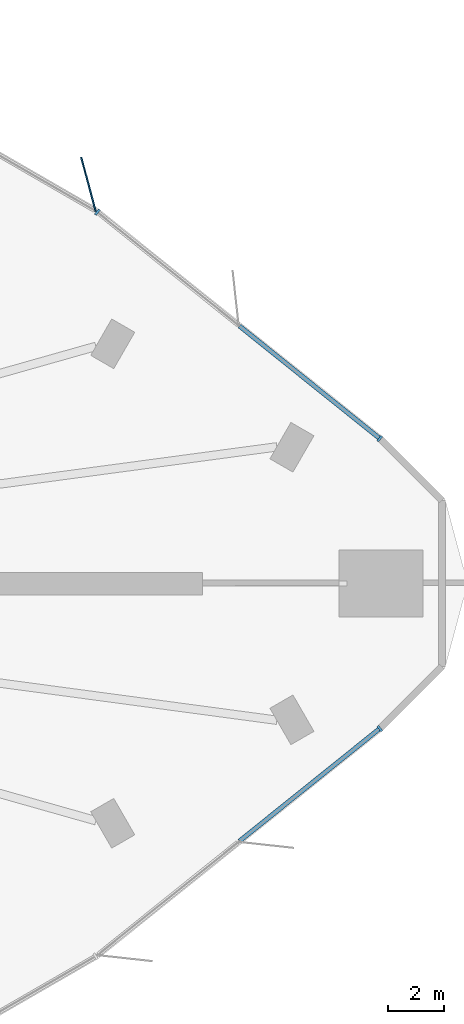
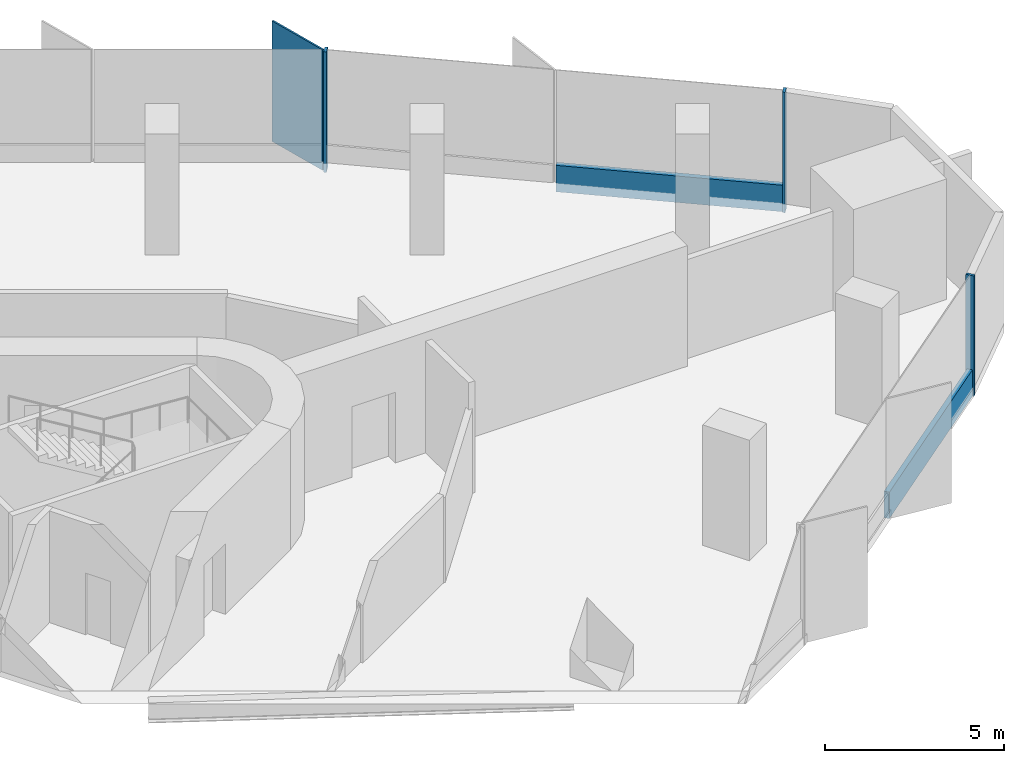
# One storey, part 6 of 15: 6 members, 3 elements without a shape of their own.
"""IFC4 building model written with IfcOpenShell, lengths in metres."""

import ifcopenshell
import ifcopenshell.guid

model = None  # the IFC model being written
_history = None  # IfcOwnerHistory: only IFC2X3 demands one
_inside = {}  # id of a spatial element -> (the spatial element, [elements in it])
_under = {}  # id of a project, library or spatial element -> (it, [spatial elements below it])
_declared = {}  # id of a project -> (the project, [libraries it declares])
_typed = {}  # id of a type object -> (the type object, [elements of that type])
_made_of = {}  # id of a material, layer set ... -> (it, [elements and type objects made of it])


def new_model(schema):
    """Start an empty IFC model of exactly this schema.

    Asked for "IFC4X3", IfcOpenShell would pick the latest addendum, in which some entities
    have other attributes; the version numbers below select the first issue.
    IFC2X3 requires an IfcOwnerHistory on every rooted entity: one is made here for all.
    """
    global model, _history
    if schema == "IFC4X3":
        model = ifcopenshell.file(schema_version=(4, 3, 0, 0))
    else:
        model = ifcopenshell.file(schema=schema)
    _inside.clear()
    _under.clear()
    _declared.clear()
    _typed.clear()
    _made_of.clear()
    _history = None
    if model.schema == "IFC2X3":
        org = make("IfcOrganization", Name="unknown")
        user = make(
            "IfcPersonAndOrganization",
            ThePerson=make("IfcPerson", FamilyName="unknown"),
            TheOrganization=org,
        )
        app = make(
            "IfcApplication",
            ApplicationDeveloper=org,
            Version="unknown",
            ApplicationFullName="unknown",
            ApplicationIdentifier="unknown",
        )
        _history = make(
            "IfcOwnerHistory",
            OwningUser=user,
            OwningApplication=app,
            ChangeAction="ADDED",
            CreationDate=0,
        )
    return model


def make(cls, **values):
    """One entity of the class cls with the attributes given. An attribute that is None is left unset."""
    return model.create_entity(
        cls, **{name: value for name, value in values.items() if value is not None}
    )


def rooted(cls, **values):
    """An entity with a GlobalId (a new one), such as an element, a storey or a relation."""
    return make(cls, GlobalId=ifcopenshell.guid.new(), OwnerHistory=_history, **values)


def si_unit(unit_type, name, prefix=None):
    """IfcSIUnit, for example si_unit("LENGTHUNIT", "METRE", prefix="MILLI")."""
    return make("IfcSIUnit", UnitType=unit_type, Prefix=prefix, Name=name)


def assignment(units):
    """IfcUnitAssignment: the units of a project."""
    return None if units is None else make("IfcUnitAssignment", Units=units)


def point(xyz):
    """IfcCartesianPoint."""
    return None if xyz is None else make("IfcCartesianPoint", Coordinates=xyz)


def direction(xyz):
    """IfcDirection."""
    return None if xyz is None else make("IfcDirection", DirectionRatios=xyz)


def frame(location, z_axis=None, x_axis=None):
    """IfcAxis2Placement3D, a coordinate frame: its origin and axes. An axis left out is left unset."""
    return make(
        "IfcAxis2Placement3D",
        Location=point(location),
        Axis=direction(z_axis),
        RefDirection=direction(x_axis),
    )


def frame_2d(location, x_axis=None):
    """IfcAxis2Placement2D, a coordinate frame in the plane: its origin and x axis."""
    return make(
        "IfcAxis2Placement2D", Location=point(location), RefDirection=direction(x_axis)
    )


def origin():
    """The frame at (0, 0, 0) with its axes left unset."""
    return frame((0.0, 0.0, 0.0))


def origin_2d():
    """The frame at (0, 0) in the plane with its x axis left unset."""
    return frame_2d((0.0, 0.0))


def place(relative_to, where):
    """IfcLocalPlacement: puts the frame where relative to a parent placement (None: the world)."""
    return make(
        "IfcLocalPlacement", PlacementRelTo=relative_to, RelativePlacement=where
    )


def context(
    kind, dimensions, precision=None, world=None, true_north=None, identifier=None
):
    """IfcGeometricRepresentationContext, for example the 3D "Model" context."""
    return make(
        "IfcGeometricRepresentationContext",
        ContextIdentifier=identifier,
        ContextType=kind,
        CoordinateSpaceDimension=dimensions,
        Precision=precision,
        WorldCoordinateSystem=world,
        TrueNorth=true_north,
    )


def subcontext(parent, identifier, kind, view, scale=None):
    """IfcGeometricRepresentationSubContext, for example "Body" below "Model"."""
    return make(
        "IfcGeometricRepresentationSubContext",
        ContextIdentifier=identifier,
        ContextType=kind,
        ParentContext=parent,
        TargetScale=scale,
        TargetView=view,
    )


def project(units=None, contexts=None):
    """IfcProject with its units and contexts."""
    return rooted(
        "IfcProject",
        Name="project",
        RepresentationContexts=contexts,
        UnitsInContext=assignment(units),
    )


def spatial(cls, under=None, at=None, **own):
    """A site, building, storey or space (cls), placed at a placement, below another one or the project."""
    s = rooted(cls, ObjectPlacement=at, **own)
    if under is not None:
        _under.setdefault(under.id(), (under, []))[1].append(s)
    return s


def profile(cls, at=None, kind="AREA", **sizes):
    """A parametric profile (cls). Its sizes go by their IFC names, for example OverallWidth=200.0."""
    return make(cls, ProfileType=kind, Position=at, **sizes)


def rectangle(**sizes):
    """IfcRectangleProfileDef."""
    return profile("IfcRectangleProfileDef", **sizes)


def extrude(swept, where, along, depth):
    """IfcExtrudedAreaSolid: the profile swept, set in the frame where, extruded along a direction by depth."""
    return make(
        "IfcExtrudedAreaSolid",
        SweptArea=swept,
        Position=where,
        ExtrudedDirection=direction(along),
        Depth=depth,
    )


def shape(context_of_items, identifier, shape_type, items):
    """IfcShapeRepresentation: the items that make up one representation, for example the "Body"."""
    return make(
        "IfcShapeRepresentation",
        ContextOfItems=context_of_items,
        RepresentationIdentifier=identifier,
        RepresentationType=shape_type,
        Items=items,
    )


def material(Name=None, Category=None):
    """IfcMaterial."""
    return make("IfcMaterial", Name=Name, Category=Category)


def material_profile(
    of_material, cross_section, Name=None, Category=None, Priority=None
):
    """IfcMaterialProfile: a cross section and its material."""
    return make(
        "IfcMaterialProfile",
        Name=Name,
        Material=of_material,
        Profile=cross_section,
        Priority=Priority,
        Category=Category,
    )


def profile_set(profiles, Name=None, composite=None):
    """IfcMaterialProfileSet."""
    return make(
        "IfcMaterialProfileSet",
        Name=Name,
        MaterialProfiles=profiles,
        CompositeProfile=composite,
    )


def made_of(thing, what):
    """Note that an element or type object is made of a material, layer set ...; save() writes the relation."""
    if what is not None:
        _made_of.setdefault(what.id(), (what, []))[1].append(thing)
    return thing


def type_object(cls, material=None, **own):
    """A type object (cls), such as IfcWallType, which elements share."""
    return made_of(rooted(cls, **own), material)


def element(
    cls,
    number,
    at=None,
    inside=None,
    cuts=None,
    type_object=None,
    material=None,
    context=None,
    identifier="Body",
    shape_type=None,
    held_by="IfcProductDefinitionShape",
    body=None,
    shapes=None,
    **own,
):
    """One element of the class cls, such as IfcWall. Its Tag is "e" and its number.

    at: its placement. inside: the storey or other place that contains it. cuts: it is an
    opening in that element (IfcRelVoidsElement). A single representation is given by context,
    identifier, shape_type and body (its items); several are given by shapes. held_by: the class
    of the entity that holds the representations. save() writes the other relations.
    """
    e = rooted(cls, Tag="e%d" % number, ObjectPlacement=at, **own)
    if body is not None:
        shapes = [shape(context, identifier, shape_type, body)]
    if shapes is not None:
        e.Representation = make(held_by, Representations=shapes)
    if inside is not None:
        _inside.setdefault(inside.id(), (inside, []))[1].append(e)
    if cuts is not None:
        rooted(
            "IfcRelVoidsElement", RelatingBuildingElement=cuts, RelatedOpeningElement=e
        )
    if type_object is not None:
        _typed.setdefault(type_object.id(), (type_object, []))[1].append(e)
    return made_of(e, material)


def aggregate(whole, parts):
    """IfcRelAggregates: a whole, such as a stair, and the parts it consists of."""
    return rooted("IfcRelAggregates", RelatingObject=whole, RelatedObjects=parts)


def save(model, path):
    """Write the relations noted so far, then the file.

    IfcRelAggregates (storeys below a building ...), IfcRelContainedInSpatialStructure (elements
    in a storey), IfcRelDefinesByType, IfcRelAssociatesMaterial and IfcRelDeclares: one each for
    every whole, place, type object, material and project.
    """
    for whole, parts in _under.values():
        aggregate(whole, parts)
    for where, things in _inside.values():
        rooted(
            "IfcRelContainedInSpatialStructure",
            RelatedElements=things,
            RelatingStructure=where,
        )
    for kind, things in _typed.values():
        rooted("IfcRelDefinesByType", RelatedObjects=things, RelatingType=kind)
    for what, things in _made_of.values():
        rooted("IfcRelAssociatesMaterial", RelatedObjects=things, RelatingMaterial=what)
    for by, libraries in _declared.values():
        rooted("IfcRelDeclares", RelatingContext=by, RelatedDefinitions=libraries)
    model.write(path)


model = new_model("IFC4")

# Units and contexts
model_context = context("Model", 3, precision=1e-05, world=origin(), true_north=direction((0.0, 1.0)))
body_context = subcontext(model_context, "Body", "Model", "MODEL_VIEW")
ifc_project = project(units=[si_unit("LENGTHUNIT", "METRE"), si_unit("AREAUNIT", "SQUARE_METRE"), si_unit("VOLUMEUNIT", "CUBIC_METRE"), si_unit("PLANEANGLEUNIT", "RADIAN"), si_unit("MASSUNIT", "GRAM", prefix="KILO")], contexts=[model_context])

# Site, building, storey
site_placement = place(None, origin())
site = spatial("IfcSite", under=ifc_project, at=site_placement, CompositionType="ELEMENT")
building_placement = place(site_placement, origin())
building = spatial("IfcBuilding", under=site, at=building_placement, Name="Tanit Gate Tower", CompositionType="ELEMENT")
storey_placement = place(building_placement, frame((0.0, 0.0, 131.60009765625)))
storey = spatial("IfcBuildingStorey", under=building, at=storey_placement, Name="L28", CompositionType="ELEMENT", Elevation=131.60009765625)

# Curtain wall, member
ifc_material_1 = material(Name="Aluminium bronze anodised and glass", Category="aluminium")
curtain_wall_type = type_object("IfcCurtainWallType", Name="Curtain wall typical low", PredefinedType="NOTDEFINED", material=ifc_material_1)
curtain_wall_1_placement = place(storey_placement, origin())
curtain_wall_1 = element("IfcCurtainWall", 1, at=curtain_wall_1_placement, inside=storey, type_object=curtain_wall_type, Name="Curtain wall L28 NE2", PredefinedType="NOTDEFINED")
ifc_material_2 = material(Name="Aluminium bronze anodised", Category="aluminium")
ifc_material_profile_1 = material_profile(ifc_material_2, rectangle(XDim=2.0, YDim=0.055908203125, at=origin_2d()), Name="56x2000 bronze fin mullion")
ifc_profile_set_1 = profile_set([ifc_material_profile_1], Name="Aluminium bronze anodised")
member_type_1 = type_object("IfcMemberType", Name="FIN MULLION 56x2000 bronze", PredefinedType="MULLION", material=ifc_profile_set_1)
member_1_placement = place(storey_placement, frame((29.681884765625, 14.259765625, -0.300048828125), z_axis=(0.0, 0.0, 1.0), x_axis=(0.25875206837, -0.965943770162, 0.0)))
member_1 = element("IfcMember", 2, at=member_1_placement, type_object=member_type_1, Name="Fin mullion L28 NE2.1", PredefinedType="MULLION", context=body_context, shape_type="SweptSolid", body=[
    extrude(rectangle(XDim=2.0, YDim=0.055908203125, at=origin_2d()), origin(), (0.0, 0.0, 1.0), 4.099853515625),
])
aggregate(curtain_wall_1, [member_1])

# Curtain wall, members
curtain_wall_2_placement = place(storey_placement, origin())
curtain_wall_2 = element("IfcCurtainWall", 3, at=curtain_wall_2_placement, inside=storey, type_object=curtain_wall_type, Name="Curtain wall L28 NE1", PredefinedType="NOTDEFINED")
ifc_material_3 = material(Name="Aluminium bronze anodised", Category="aluminium")
ifc_material_profile_2 = material_profile(ifc_material_3, rectangle(XDim=0.239990234375, YDim=0.080078125, at=origin_2d()), Name="80x240 bronze mullion")
ifc_profile_set_2 = profile_set([ifc_material_profile_2], Name="Aluminium bronze anodised")
member_type_2 = type_object("IfcMemberType", Name="Mullion 80x240 typical low", PredefinedType="MULLION", material=ifc_profile_set_2)
member_2_placement = place(storey_placement, frame((40.0888671875, 5.17919921875, -0.300048828125), z_axis=(0.0, 0.0, 1.0), x_axis=(-0.625673630163, -0.780084936734, 0.0)))
member_2 = element("IfcMember", 4, at=member_2_placement, type_object=member_type_2, Name="Mullion L28 NE1.1", PredefinedType="MULLION", context=body_context, shape_type="SweptSolid", body=[
    extrude(rectangle(XDim=0.239990234375, YDim=0.080078125, at=origin_2d()), origin(), (0.0, 0.0, 1.0), 4.099853515625),
])
member_3_placement = place(storey_placement, frame((30.000732421875, 13.2705078125, -0.300048828125), z_axis=(0.0, 0.0, 1.0), x_axis=(-0.625673630163, -0.780084936734, 0.0)))
member_3 = element("IfcMember", 5, at=member_3_placement, type_object=member_type_2, Name="Mullion L28 NE1.3", PredefinedType="MULLION", context=body_context, shape_type="SweptSolid", body=[
    extrude(rectangle(XDim=0.239990234375, YDim=0.080078125, at=origin_2d()), origin(), (0.0, 0.0, 1.0), 4.099853515625),
])

# Curtain wall, member
curtain_wall_3_placement = place(storey_placement, origin())
curtain_wall_3 = element("IfcCurtainWall", 6, at=curtain_wall_3_placement, inside=storey, type_object=curtain_wall_type, Name="Curtain wall L28 SE3", PredefinedType="NOTDEFINED")
member_4_placement = place(storey_placement, frame((40.0888671875, -5.17919921875, -0.300048828125), z_axis=(0.0, 0.0, 1.0), x_axis=(-0.625832143104, 0.779957773638, 0.0)))
member_4 = element("IfcMember", 7, at=member_4_placement, type_object=member_type_2, Name="Mullion L28 SE3.3", PredefinedType="MULLION", context=body_context, shape_type="SweptSolid", body=[
    extrude(rectangle(XDim=0.239990234375, YDim=0.080078125, at=origin_2d()), origin(), (0.0, 0.0, 1.0), 4.099853515625),
])

# Member
ifc_material_4 = material(Name="Aluminium bronze anodised", Category="aluminium")
ifc_material_profile_3 = material_profile(ifc_material_4, rectangle(XDim=0.159912109375, YDim=0.89990234375, at=origin_2d()), Name="160x900 bronze transom")
ifc_profile_set_3 = profile_set([ifc_material_profile_3], Name="Aluminium bronze anodised")
member_type_3 = type_object("IfcMemberType", Name="Transom 160x900 typical low", PredefinedType="USERDEFINED", material=ifc_profile_set_3)
member_5_placement = place(storey_placement, frame((40.057861328125, 5.2041015625, 0.14990234375), z_axis=(-0.780081251813, 0.625678224465, 0.0), x_axis=(-0.625678224465, -0.780081251813, 0.0)))
member_5 = element("IfcMember", 8, at=member_5_placement, type_object=member_type_3, Name="Transom L28 NE1.1", ObjectType="TRANSOM", PredefinedType="USERDEFINED", context=body_context, shape_type="SweptSolid", body=[
    extrude(rectangle(XDim=0.159912109375, YDim=0.89990234375, at=origin_2d()), origin(), (0.0, 0.0, 1.0), 6.386474609375),
])

aggregate(curtain_wall_2, [member_2, member_3, member_5])

member_6_placement = place(storey_placement, frame((35.07666015625, -9.200927734375, 0.14990234375), z_axis=(0.779961709235, 0.625827238244, 0.0), x_axis=(-0.625827238244, 0.779961709235, 0.0)))
member_6 = element("IfcMember", 9, at=member_6_placement, type_object=member_type_3, Name="Transom L28 SE3.2", ObjectType="TRANSOM", PredefinedType="USERDEFINED", context=body_context, shape_type="SweptSolid", body=[
    extrude(rectangle(XDim=0.159912109375, YDim=0.89990234375, at=origin_2d()), origin(), (0.0, 0.0, 1.0), 6.386474609375),
])

aggregate(curtain_wall_3, [member_4, member_6])

save(model, "model.ifc")
